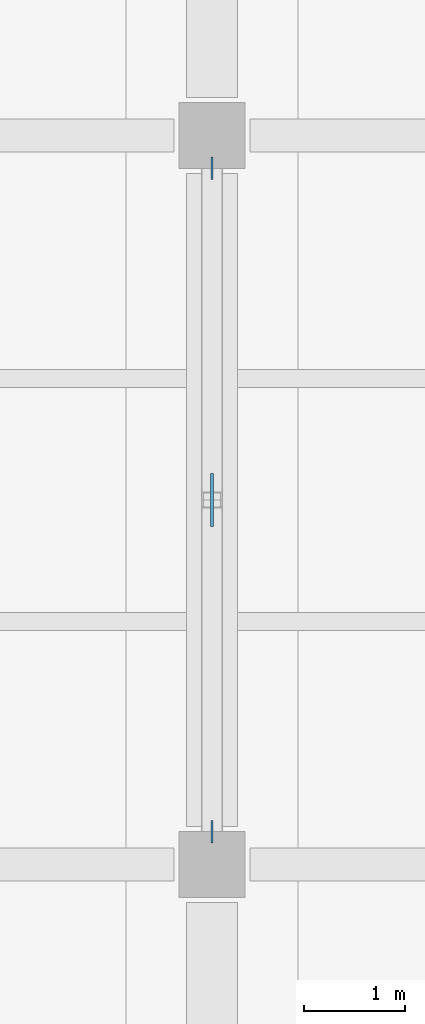
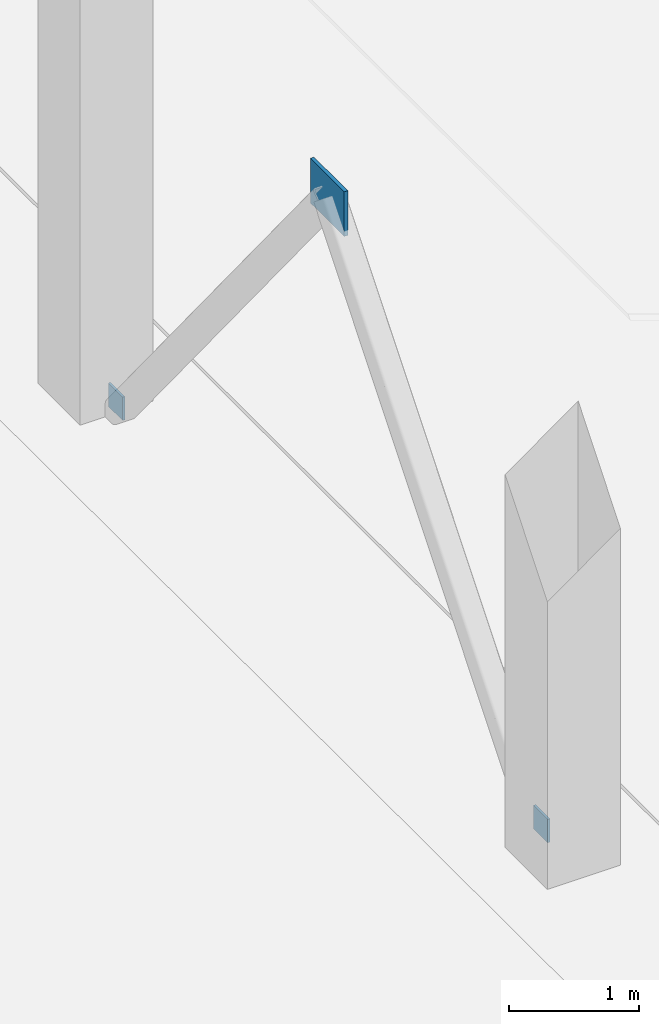
# One storey, part 89 of 127: 3 plates.
"""IFC4 building model written with IfcOpenShell, lengths in metres."""

from ifc_helpers import new_model, si_unit, direction, frame, origin, origin_2d, place, context, subcontext, project, spatial, rectangle, extrude, material, layer, layer_set, type_object, element, save


model = new_model("IFC4")

# Units and contexts
model_context = context("Model", 3, precision=1e-05, world=origin(), true_north=direction((0.0, 1.0)))
body_context = subcontext(model_context, "Body", "Model", "MODEL_VIEW")
ifc_project = project(units=[si_unit("LENGTHUNIT", "METRE"), si_unit("AREAUNIT", "SQUARE_METRE"), si_unit("VOLUMEUNIT", "CUBIC_METRE"), si_unit("PLANEANGLEUNIT", "RADIAN"), si_unit("MASSUNIT", "GRAM", prefix="KILO")], contexts=[model_context])

# Site, building, storey
site_placement = place(None, origin())
site = spatial("IfcSite", under=ifc_project, at=site_placement, CompositionType="ELEMENT")
building_placement = place(site_placement, origin())
building = spatial("IfcBuilding", under=site, at=building_placement, Name="Kalmorath City Hall", CompositionType="ELEMENT")
storey_placement = place(building_placement, frame((0.0, 0.0, 5.39990234375)))
storey = spatial("IfcBuildingStorey", under=building, at=storey_placement, Name="L01", CompositionType="ELEMENT", Elevation=5.39990234375)

# Plates
ifc_material_1 = material(Name="Steel ASTM A572 Grade 50", Category="steel")
ifc_layer_1 = layer(ifc_material_1, 0.02001953125)
ifc_layer_set_1 = layer_set([ifc_layer_1], Name="Steel ASTM A572 Grade 50")
plate_type_1 = type_object("IfcPlateType", Name="Steel HSS end-cap plate 220x220x20", PredefinedType="SHEET", material=ifc_layer_set_1)
for number, where, z_axis, x_axis, name in (
    (1, (64.800048828125, 101.125, 0.0), (0.0, 0.0, 1.0), (0.0, 1.0, 0.0), "L01 brace foot end-plate GP5-25L"),
    (2, (64.800048828125, 107.675048828125, 0.0), (0.0, 0.0, 1.0), (0.0, 1.0, 0.0), "L01 brace foot end-plate GP5-25R"),
):
    element("IfcPlate", number, at=place(storey_placement, frame(where, z_axis=z_axis, x_axis=x_axis)), inside=storey, type_object=plate_type_1, Name=name, PredefinedType="SHEET", context=body_context, shape_type="SweptSolid", body=[
        extrude(rectangle(XDim=0.219970703125, YDim=0.02001953125, at=origin_2d()), origin(), (0.0, 0.0, 1.0), 0.219970703125),
    ])
ifc_material_2 = material(Name="Steel ASTM A572 Grade 50", Category="steel")
ifc_layer_2 = layer(ifc_material_2, 0.031982421875)
ifc_layer_set_2 = layer_set([ifc_layer_2], Name="Steel ASTM A572 Grade 50")
plate_type_2 = type_object("IfcPlateType", Name="Steel brace gusset plate 520x420x32", PredefinedType="USERDEFINED", material=ifc_layer_set_2)
plate_placement = place(storey_placement, frame((64.800048828125, 104.39990234375, 3.81005859375), z_axis=(0.0, 0.0, 1.0), x_axis=(0.0, 1.0, 0.0)))
element("IfcPlate", 3, at=plate_placement, inside=storey, type_object=plate_type_2, Name="L01 brace gusset plate GP2-25", ObjectType="GUSSET PLATE", PredefinedType="USERDEFINED", context=body_context, shape_type="SweptSolid", body=[
    extrude(rectangle(XDim=0.52001953125, YDim=0.031982421875, at=origin_2d()), origin(), (0.0, 0.0, 1.0), 0.419921875),
])

save(model, "model.ifc")
